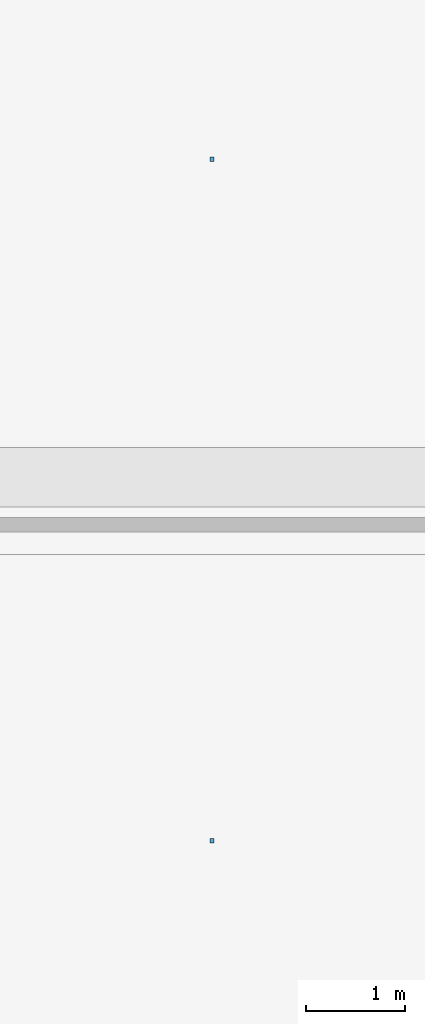
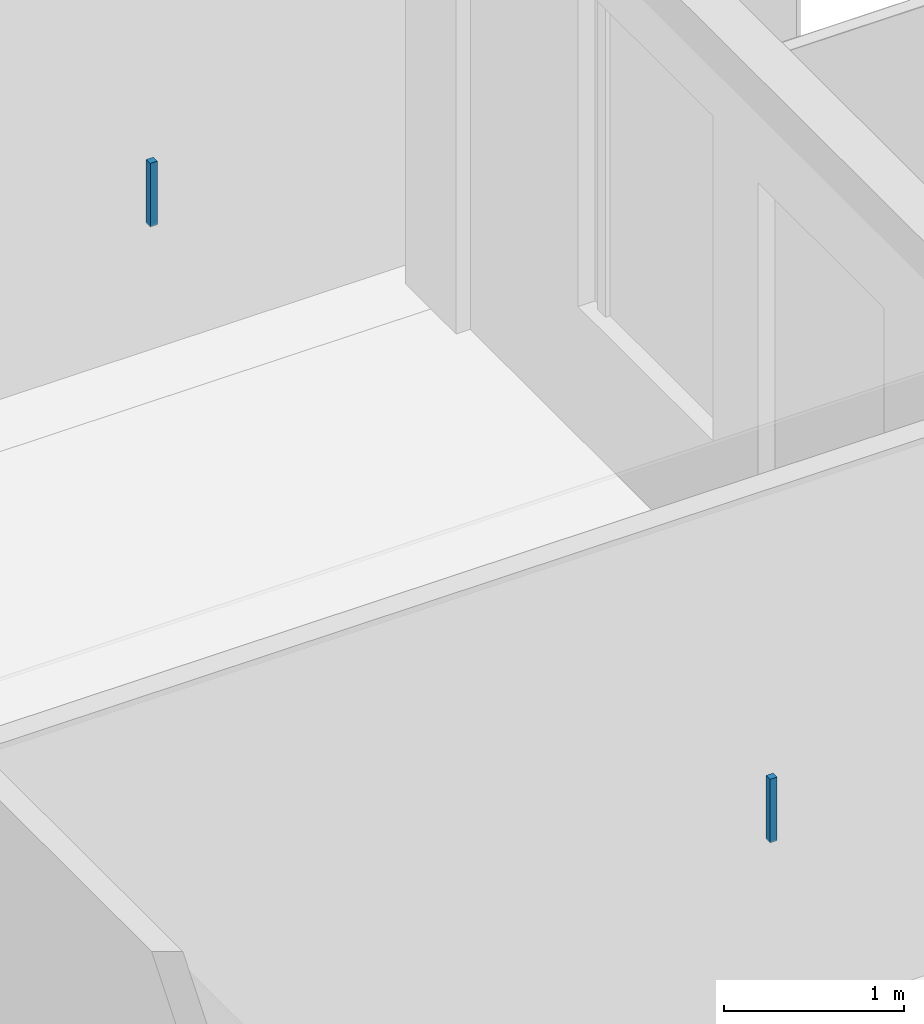
# One storey, part 76 of 95: 2 discrete accessories.
"""IFC4 building model written with IfcOpenShell, lengths in metres."""

import ifcopenshell
import ifcopenshell.guid

model = None  # the IFC model being written
_history = None  # IfcOwnerHistory: only IFC2X3 demands one
_inside = {}  # id of a spatial element -> (the spatial element, [elements in it])
_under = {}  # id of a project, library or spatial element -> (it, [spatial elements below it])
_declared = {}  # id of a project -> (the project, [libraries it declares])
_typed = {}  # id of a type object -> (the type object, [elements of that type])
_made_of = {}  # id of a material, layer set ... -> (it, [elements and type objects made of it])


def new_model(schema):
    """Start an empty IFC model of exactly this schema.

    Asked for "IFC4X3", IfcOpenShell would pick the latest addendum, in which some entities
    have other attributes; the version numbers below select the first issue.
    IFC2X3 requires an IfcOwnerHistory on every rooted entity: one is made here for all.
    """
    global model, _history
    if schema == "IFC4X3":
        model = ifcopenshell.file(schema_version=(4, 3, 0, 0))
    else:
        model = ifcopenshell.file(schema=schema)
    _inside.clear()
    _under.clear()
    _declared.clear()
    _typed.clear()
    _made_of.clear()
    _history = None
    if model.schema == "IFC2X3":
        org = make("IfcOrganization", Name="unknown")
        user = make(
            "IfcPersonAndOrganization",
            ThePerson=make("IfcPerson", FamilyName="unknown"),
            TheOrganization=org,
        )
        app = make(
            "IfcApplication",
            ApplicationDeveloper=org,
            Version="unknown",
            ApplicationFullName="unknown",
            ApplicationIdentifier="unknown",
        )
        _history = make(
            "IfcOwnerHistory",
            OwningUser=user,
            OwningApplication=app,
            ChangeAction="ADDED",
            CreationDate=0,
        )
    return model


def make(cls, **values):
    """One entity of the class cls with the attributes given. An attribute that is None is left unset."""
    return model.create_entity(
        cls, **{name: value for name, value in values.items() if value is not None}
    )


def rooted(cls, **values):
    """An entity with a GlobalId (a new one), such as an element, a storey or a relation."""
    return make(cls, GlobalId=ifcopenshell.guid.new(), OwnerHistory=_history, **values)


def si_unit(unit_type, name, prefix=None):
    """IfcSIUnit, for example si_unit("LENGTHUNIT", "METRE", prefix="MILLI")."""
    return make("IfcSIUnit", UnitType=unit_type, Prefix=prefix, Name=name)


def derived_unit(unit_type, elements):
    """IfcDerivedUnit: a product of units, each with its exponent."""
    return make(
        "IfcDerivedUnit",
        Elements=[
            make("IfcDerivedUnitElement", Unit=unit, Exponent=power)
            for unit, power in elements
        ],
        UnitType=unit_type,
    )


def assignment(units):
    """IfcUnitAssignment: the units of a project."""
    return None if units is None else make("IfcUnitAssignment", Units=units)


def point(xyz):
    """IfcCartesianPoint."""
    return None if xyz is None else make("IfcCartesianPoint", Coordinates=xyz)


def direction(xyz):
    """IfcDirection."""
    return None if xyz is None else make("IfcDirection", DirectionRatios=xyz)


def frame(location, z_axis=None, x_axis=None):
    """IfcAxis2Placement3D, a coordinate frame: its origin and axes. An axis left out is left unset."""
    return make(
        "IfcAxis2Placement3D",
        Location=point(location),
        Axis=direction(z_axis),
        RefDirection=direction(x_axis),
    )


def frame_2d(location, x_axis=None):
    """IfcAxis2Placement2D, a coordinate frame in the plane: its origin and x axis."""
    return make(
        "IfcAxis2Placement2D", Location=point(location), RefDirection=direction(x_axis)
    )


def origin():
    """The frame at (0, 0, 0) with its axes left unset."""
    return frame((0.0, 0.0, 0.0))


def origin_2d():
    """The frame at (0, 0) in the plane with its x axis left unset."""
    return frame_2d((0.0, 0.0))


def place(relative_to, where):
    """IfcLocalPlacement: puts the frame where relative to a parent placement (None: the world)."""
    return make(
        "IfcLocalPlacement", PlacementRelTo=relative_to, RelativePlacement=where
    )


def context(
    kind, dimensions, precision=None, world=None, true_north=None, identifier=None
):
    """IfcGeometricRepresentationContext, for example the 3D "Model" context."""
    return make(
        "IfcGeometricRepresentationContext",
        ContextIdentifier=identifier,
        ContextType=kind,
        CoordinateSpaceDimension=dimensions,
        Precision=precision,
        WorldCoordinateSystem=world,
        TrueNorth=true_north,
    )


def subcontext(parent, identifier, kind, view, scale=None):
    """IfcGeometricRepresentationSubContext, for example "Body" below "Model"."""
    return make(
        "IfcGeometricRepresentationSubContext",
        ContextIdentifier=identifier,
        ContextType=kind,
        ParentContext=parent,
        TargetScale=scale,
        TargetView=view,
    )


def project(units=None, contexts=None):
    """IfcProject with its units and contexts."""
    return rooted(
        "IfcProject",
        Name="project",
        RepresentationContexts=contexts,
        UnitsInContext=assignment(units),
    )


def spatial(cls, under=None, at=None, **own):
    """A site, building, storey or space (cls), placed at a placement, below another one or the project."""
    s = rooted(cls, ObjectPlacement=at, **own)
    if under is not None:
        _under.setdefault(under.id(), (under, []))[1].append(s)
    return s


def profile(cls, at=None, kind="AREA", **sizes):
    """A parametric profile (cls). Its sizes go by their IFC names, for example OverallWidth=200.0."""
    return make(cls, ProfileType=kind, Position=at, **sizes)


def rectangle(**sizes):
    """IfcRectangleProfileDef."""
    return profile("IfcRectangleProfileDef", **sizes)


def extrude(swept, where, along, depth):
    """IfcExtrudedAreaSolid: the profile swept, set in the frame where, extruded along a direction by depth."""
    return make(
        "IfcExtrudedAreaSolid",
        SweptArea=swept,
        Position=where,
        ExtrudedDirection=direction(along),
        Depth=depth,
    )


def shape(context_of_items, identifier, shape_type, items):
    """IfcShapeRepresentation: the items that make up one representation, for example the "Body"."""
    return make(
        "IfcShapeRepresentation",
        ContextOfItems=context_of_items,
        RepresentationIdentifier=identifier,
        RepresentationType=shape_type,
        Items=items,
    )


def material(Name=None, Category=None):
    """IfcMaterial."""
    return make("IfcMaterial", Name=Name, Category=Category)


def made_of(thing, what):
    """Note that an element or type object is made of a material, layer set ...; save() writes the relation."""
    if what is not None:
        _made_of.setdefault(what.id(), (what, []))[1].append(thing)
    return thing


def type_object(cls, material=None, **own):
    """A type object (cls), such as IfcWallType, which elements share."""
    return made_of(rooted(cls, **own), material)


def element(
    cls,
    number,
    at=None,
    inside=None,
    cuts=None,
    type_object=None,
    material=None,
    context=None,
    identifier="Body",
    shape_type=None,
    held_by="IfcProductDefinitionShape",
    body=None,
    shapes=None,
    **own,
):
    """One element of the class cls, such as IfcWall. Its Tag is "e" and its number.

    at: its placement. inside: the storey or other place that contains it. cuts: it is an
    opening in that element (IfcRelVoidsElement). A single representation is given by context,
    identifier, shape_type and body (its items); several are given by shapes. held_by: the class
    of the entity that holds the representations. save() writes the other relations.
    """
    e = rooted(cls, Tag="e%d" % number, ObjectPlacement=at, **own)
    if body is not None:
        shapes = [shape(context, identifier, shape_type, body)]
    if shapes is not None:
        e.Representation = make(held_by, Representations=shapes)
    if inside is not None:
        _inside.setdefault(inside.id(), (inside, []))[1].append(e)
    if cuts is not None:
        rooted(
            "IfcRelVoidsElement", RelatingBuildingElement=cuts, RelatedOpeningElement=e
        )
    if type_object is not None:
        _typed.setdefault(type_object.id(), (type_object, []))[1].append(e)
    return made_of(e, material)


def aggregate(whole, parts):
    """IfcRelAggregates: a whole, such as a stair, and the parts it consists of."""
    return rooted("IfcRelAggregates", RelatingObject=whole, RelatedObjects=parts)


def save(model, path):
    """Write the relations noted so far, then the file.

    IfcRelAggregates (storeys below a building ...), IfcRelContainedInSpatialStructure (elements
    in a storey), IfcRelDefinesByType, IfcRelAssociatesMaterial and IfcRelDeclares: one each for
    every whole, place, type object, material and project.
    """
    for whole, parts in _under.values():
        aggregate(whole, parts)
    for where, things in _inside.values():
        rooted(
            "IfcRelContainedInSpatialStructure",
            RelatedElements=things,
            RelatingStructure=where,
        )
    for kind, things in _typed.values():
        rooted("IfcRelDefinesByType", RelatedObjects=things, RelatingType=kind)
    for what, things in _made_of.values():
        rooted("IfcRelAssociatesMaterial", RelatedObjects=things, RelatingMaterial=what)
    for by, libraries in _declared.values():
        rooted("IfcRelDeclares", RelatingContext=by, RelatedDefinitions=libraries)
    model.write(path)


model = new_model("IFC4")

# Units and contexts
model_context = context("Model", 3, precision=1e-05, world=origin(), true_north=direction((0.0, 1.0)))
body_context = subcontext(model_context, "Body", "Model", "MODEL_VIEW")
ifc_project = project(units=[si_unit("LENGTHUNIT", "METRE"), si_unit("AREAUNIT", "SQUARE_METRE"), si_unit("VOLUMEUNIT", "CUBIC_METRE"), si_unit("PLANEANGLEUNIT", "RADIAN"), si_unit("MASSUNIT", "GRAM", prefix="KILO"), derived_unit("THERMALTRANSMITTANCEUNIT", [(si_unit("POWERUNIT", "WATT"), 1), (si_unit("LENGTHUNIT", "METRE"), -2), (si_unit("THERMODYNAMICTEMPERATUREUNIT", "KELVIN"), -1)])], contexts=[model_context])

# Site, building, storey
site_placement = place(None, origin())
site = spatial("IfcSite", under=ifc_project, at=site_placement, CompositionType="ELEMENT")
building_placement = place(site_placement, origin())
building = spatial("IfcBuilding", under=site, at=building_placement, Name="Braskholm Square Health Centre", CompositionType="ELEMENT")
storey_placement = place(building_placement, frame((0.0, 0.0, 4.800048828125)))
storey = spatial("IfcBuildingStorey", under=building, at=storey_placement, Name="L02", CompositionType="ELEMENT", Elevation=4.800048828125)

# Discrete accessories
ifc_material = material(Name="Steel ASTM A500 Grade C", Category="steel")
discrete_accessory_type = type_object("IfcDiscreteAccessoryType", Name="CeilingSuspensionBracket", PredefinedType="BRACKET", material=ifc_material)
for number, where, z_axis, x_axis, name in (
    (1, (159.93994140625, 38.929931640625, 3.7822265625), (0.0, 0.0, 1.0), (1.0, 0.0, 0.0), "Ceiling hanger bracket 0135"),
    (2, (159.93994140625, 45.81005859375, 3.7822265625), (0.0, 0.0, 1.0), (1.0, 0.0, 0.0), "Ceiling hanger bracket 0136"),
):
    element("IfcDiscreteAccessory", number, at=place(storey_placement, frame(where, z_axis=z_axis, x_axis=x_axis)), inside=storey, type_object=discrete_accessory_type, Name=name, PredefinedType="BRACKET", context=body_context, shape_type="SweptSolid", body=[
        extrude(rectangle(XDim=0.044921875, YDim=0.044921875, at=origin_2d()), origin(), (0.0, 0.0, 1.0), 0.429931640625),
    ])

save(model, "model.ifc")
